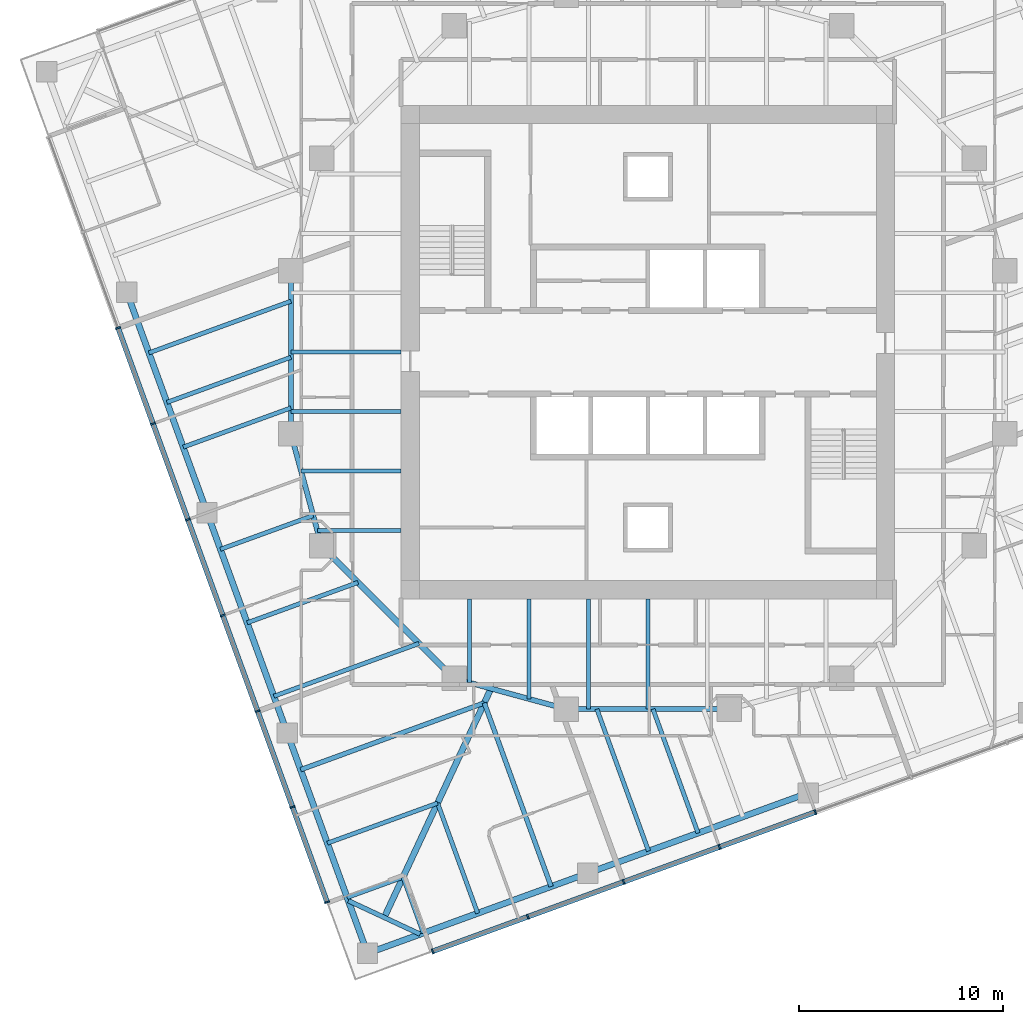
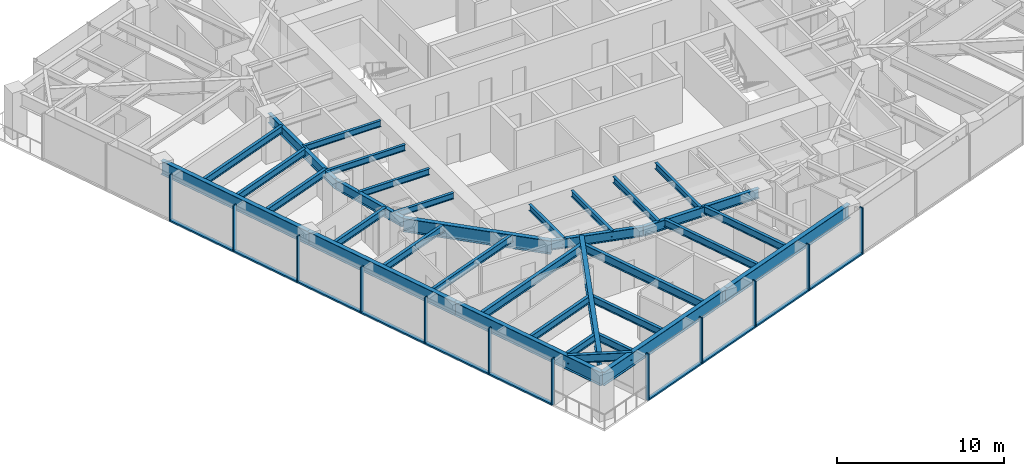
# One storey, part 2 of 13: 34 beams, 22 members, 2 elements without a shape of their own.
"""IFC4 building model written with IfcOpenShell, lengths in metres."""

from ifc_helpers import new_model, si_unit, direction, frame, origin, origin_2d, place, context, subcontext, project, spatial, rectangle, i_section, extrude, material, material_profile, profile_set, type_object, element, aggregate, save


model = new_model("IFC4")

# Units and contexts
model_context = context("Model", 3, precision=1e-05, world=origin(), true_north=direction((0.0, 1.0)))
body_context = subcontext(model_context, "Body", "Model", "MODEL_VIEW")
ifc_project = project(units=[si_unit("LENGTHUNIT", "METRE"), si_unit("AREAUNIT", "SQUARE_METRE"), si_unit("VOLUMEUNIT", "CUBIC_METRE"), si_unit("PLANEANGLEUNIT", "RADIAN"), si_unit("MASSUNIT", "GRAM", prefix="KILO")], contexts=[model_context])

# Site, building, storey
site_placement = place(None, origin())
site = spatial("IfcSite", under=ifc_project, at=site_placement, CompositionType="ELEMENT")
building_placement = place(site_placement, origin())
building = spatial("IfcBuilding", under=site, at=building_placement, Name="Torsade Residences", CompositionType="ELEMENT")
storey_placement = place(building_placement, frame((0.0, 0.0, 160.800048828125)))
storey = spatial("IfcBuildingStorey", under=building, at=storey_placement, Name="L44", CompositionType="ELEMENT", Elevation=160.800048828125)

# Beams
ifc_material_1 = material(Name="Steel grade 300", Category="steel")
ifc_material_profile_1 = material_profile(ifc_material_1, i_section(OverallWidth=0.300048828125, OverallDepth=0.89990234375, WebThickness=0.011962890625, FlangeThickness=0.02490234375, at=origin_2d()), Name="900WB175")
ifc_profile_set_1 = profile_set([ifc_material_profile_1], Name="Steel grade 300")
beam_type_1 = type_object("IfcBeamType", Name="CORNER GIRDER 900WB175", PredefinedType="BEAM", material=ifc_profile_set_1)
beam_1_placement = place(storey_placement, frame((27.075439453125, 2.282958984375, 2.800048828125), z_axis=(0.422616712682, 0.906308509373, 0.0), x_axis=(-0.906308509373, 0.422616712682, 0.0)))
element("IfcBeam", 1, at=beam_1_placement, inside=storey, type_object=beam_type_1, Name="Corner girder 01 L45", PredefinedType="BEAM", context=body_context, shape_type="SweptSolid", body=[
    extrude(i_section(OverallWidth=0.300048828125, OverallDepth=0.89990234375, WebThickness=0.011962890625, FlangeThickness=0.02490234375, at=origin_2d()), origin(), (0.0, 0.0, 1.0), 12.3837890625),
])
ifc_material_2 = material(Name="Steel grade 300", Category="steel")
ifc_material_profile_2 = material_profile(ifc_material_2, i_section(OverallWidth=0.22802734375, OverallDepth=0.60205078125, WebThickness=0.010498046875, FlangeThickness=0.014892578125, FilletRadius=0.013916015625, at=origin_2d()), Name="610UB101")
ifc_profile_set_2 = profile_set([ifc_material_profile_2], Name="Steel grade 300")
beam_type_2 = type_object("IfcBeamType", Name="CORNER TRIMMER 610UB101", PredefinedType="BEAM", material=ifc_profile_set_2)
beam_2_placement = place(storey_placement, frame((28.837646484375, 1.461181640625, 2.948974609375), z_axis=(-0.906309798645, 0.422613947806, 0.0), x_axis=(-0.422613947806, -0.906309798645, 0.0)))
element("IfcBeam", 2, at=beam_2_placement, inside=storey, type_object=beam_type_2, Name="Corner trimmer 01 L45", PredefinedType="BEAM", context=body_context, shape_type="SweptSolid", body=[
    extrude(i_section(OverallWidth=0.22802734375, OverallDepth=0.60205078125, WebThickness=0.010498046875, FlangeThickness=0.014892578125, FilletRadius=0.013916015625, at=origin_2d()), origin(), (0.0, 0.0, 1.0), 3.888916015625),
])
ifc_material_3 = material(Name="Steel grade 300", Category="steel")
ifc_material_profile_3 = material_profile(ifc_material_3, i_section(OverallWidth=0.300048828125, OverallDepth=1.0, WebThickness=0.01611328125, FlangeThickness=0.028076171875, at=origin_2d()), Name="1000WB215")
ifc_profile_set_3 = profile_set([ifc_material_profile_3], Name="Steel grade 300")
beam_type_3 = type_object("IfcBeamType", Name="EDGE BEAM 1000WB215", PredefinedType="SPANDREL", material=ifc_profile_set_3)
beam_3_placement = place(storey_placement, frame((26.25341796875, 0.5205078125, 2.75), z_axis=(0.93969110915, 0.342024296483, 0.0), x_axis=(-0.342024296483, 0.93969110915, 0.0)))
element("IfcBeam", 3, at=beam_3_placement, inside=storey, type_object=beam_type_3, Name="Edge beam 01 L45", PredefinedType="SPANDREL", context=body_context, shape_type="SweptSolid", body=[
    extrude(i_section(OverallWidth=0.300048828125, OverallDepth=1.0, WebThickness=0.01611328125, FlangeThickness=0.028076171875, at=origin_2d()), origin(), (0.0, 0.0, 1.0), 11.500244140625),
])
for number, where, z_axis, x_axis, name in (
    (4, (37.06005859375, 4.453857421875, 2.75), (0.939695448801, 0.342012373318, 0.0), (-0.342012373318, 0.939695448801, 0.0), "Edge beam 02 L45"),
    (5, (14.453857421875, 32.93994140625, 2.75), (0.342012373318, -0.939695448801, 0.0), (0.939695448801, 0.342012373318, 0.0), "Edge beam 14 L45"),
    (6, (18.386962890625, 22.133544921875, 2.75), (0.342031119628, -0.939688625666, 0.0), (0.939688625666, 0.342031119628, 0.0), "Edge beam 15 L45"),
    (7, (22.3203125, 11.3271484375, 2.75), (0.342005550448, -0.939697932031, 0.0), (0.939697932031, 0.342005550448, 0.0), "Edge beam 16 L45"),
):
    element("IfcBeam", number, at=place(storey_placement, frame(where, z_axis=z_axis, x_axis=x_axis)), inside=storey, type_object=beam_type_3, Name=name, PredefinedType="SPANDREL", context=body_context, shape_type="SweptSolid", body=[
        extrude(i_section(OverallWidth=0.300048828125, OverallDepth=1.0, WebThickness=0.01611328125, FlangeThickness=0.028076171875, at=origin_2d()), origin(), (0.0, 0.0, 1.0), 11.5),
    ])
ifc_material_4 = material(Name="Steel grade 300", Category="steel")
ifc_material_profile_4 = material_profile(ifc_material_4, i_section(OverallWidth=0.18994140625, OverallDepth=0.4541015625, WebThickness=0.008544921875, FlangeThickness=0.0126953125, FilletRadius=0.011474609375, at=origin_2d()), Name="460UB67.1")
ifc_profile_set_4 = profile_set([ifc_material_profile_4], Name="Steel grade 300")
beam_type_4 = type_object("IfcBeamType", Name="INNER FLOOR BEAM 460UB67.1", PredefinedType="JOIST", material=ifc_profile_set_4)
for number, where, z_axis, x_axis, name in (
    (8, (40.0, 17.89990234375, 3.02294921875), (0.0, -1.0, 0.0), (1.0, 0.0, 0.0), "Inner floor beam IS04 L45"),
    (9, (37.08740234375, 17.89990234375, 3.02294921875), (0.0, -1.0, 0.0), (1.0, 0.0, 0.0), "Inner floor beam IS05 L45"),
):
    element("IfcBeam", number, at=place(storey_placement, frame(where, z_axis=z_axis, x_axis=x_axis)), inside=storey, type_object=beam_type_4, Name=name, PredefinedType="JOIST", context=body_context, shape_type="SweptSolid", body=[
        extrude(i_section(OverallWidth=0.18994140625, OverallDepth=0.4541015625, WebThickness=0.008544921875, FlangeThickness=0.0126953125, FilletRadius=0.011474609375, at=origin_2d()), origin(), (0.0, 0.0, 1.0), 5.39990234375),
    ])
beam_4_placement = place(storey_placement, frame((34.175048828125, 17.89990234375, 3.02294921875), z_axis=(0.0, -1.0, 0.0), x_axis=(1.0, 0.0, 0.0)))
element("IfcBeam", 10, at=beam_4_placement, inside=storey, type_object=beam_type_4, Name="Inner floor beam IS06 L45", PredefinedType="JOIST", context=body_context, shape_type="SweptSolid", body=[
    extrude(i_section(OverallWidth=0.18994140625, OverallDepth=0.4541015625, WebThickness=0.008544921875, FlangeThickness=0.0126953125, FilletRadius=0.011474609375, at=origin_2d()), origin(), (0.0, 0.0, 1.0), 4.902099609375),
])
beam_5_placement = place(storey_placement, frame((31.262451171875, 17.89990234375, 3.02294921875), z_axis=(0.0, -1.0, 0.0), x_axis=(1.0, 0.0, 0.0)))
element("IfcBeam", 11, at=beam_5_placement, inside=storey, type_object=beam_type_4, Name="Inner floor beam IS07 L45", PredefinedType="JOIST", context=body_context, shape_type="SweptSolid", body=[
    extrude(i_section(OverallWidth=0.18994140625, OverallDepth=0.4541015625, WebThickness=0.008544921875, FlangeThickness=0.0126953125, FilletRadius=0.011474609375, at=origin_2d()), origin(), (0.0, 0.0, 1.0), 4.10791015625),
])
for number, where, z_axis, x_axis, name in (
    (12, (27.89990234375, 30.0, 3.02294921875), (-1.0, 0.0, 0.0), (0.0, -1.0, 0.0), "Inner floor beam IW04 L45"),
    (13, (27.89990234375, 27.08740234375, 3.02294921875), (-1.0, 0.0, 0.0), (0.0, -1.0, 0.0), "Inner floor beam IW05 L45"),
):
    element("IfcBeam", number, at=place(storey_placement, frame(where, z_axis=z_axis, x_axis=x_axis)), inside=storey, type_object=beam_type_4, Name=name, PredefinedType="JOIST", context=body_context, shape_type="SweptSolid", body=[
        extrude(i_section(OverallWidth=0.18994140625, OverallDepth=0.4541015625, WebThickness=0.008544921875, FlangeThickness=0.0126953125, FilletRadius=0.011474609375, at=origin_2d()), origin(), (0.0, 0.0, 1.0), 5.39990234375),
    ])
beam_6_placement = place(storey_placement, frame((27.89990234375, 24.175048828125, 3.02294921875), z_axis=(-1.0, 0.0, 0.0), x_axis=(0.0, -1.0, 0.0)))
element("IfcBeam", 14, at=beam_6_placement, inside=storey, type_object=beam_type_4, Name="Inner floor beam IW06 L45", PredefinedType="JOIST", context=body_context, shape_type="SweptSolid", body=[
    extrude(i_section(OverallWidth=0.18994140625, OverallDepth=0.4541015625, WebThickness=0.008544921875, FlangeThickness=0.0126953125, FilletRadius=0.011474609375, at=origin_2d()), origin(), (0.0, 0.0, 1.0), 4.902099609375),
])
beam_7_placement = place(storey_placement, frame((27.89990234375, 21.262451171875, 3.02294921875), z_axis=(-1.0, 0.0, 0.0), x_axis=(0.0, -1.0, 0.0)))
element("IfcBeam", 15, at=beam_7_placement, inside=storey, type_object=beam_type_4, Name="Inner floor beam IW07 L45", PredefinedType="JOIST", context=body_context, shape_type="SweptSolid", body=[
    extrude(i_section(OverallWidth=0.18994140625, OverallDepth=0.4541015625, WebThickness=0.008544921875, FlangeThickness=0.0126953125, FilletRadius=0.011474609375, at=origin_2d()), origin(), (0.0, 0.0, 1.0), 4.10791015625),
])

# Curtain wall, members
ifc_material_5 = material(Name="Aluminium and glass", Category="aluminium")
curtain_wall_type = type_object("IfcCurtainWallType", Name="FRITTED GLASS CURTAIN WALL MID ZONE", PredefinedType="NOTDEFINED", material=ifc_material_5)
curtain_wall_1_placement = place(storey_placement, origin())
curtain_wall_1 = element("IfcCurtainWall", 16, at=curtain_wall_1_placement, inside=storey, type_object=curtain_wall_type, Name="Curtain wall L44 face 1", PredefinedType="NOTDEFINED")
ifc_material_6 = material(Name="Aluminium mullion", Category="aluminium")
ifc_material_profile_5 = material_profile(ifc_material_6, rectangle(XDim=0.25, YDim=0.080078125, at=origin_2d()), Name="MID ZONE CURTAIN WALL MULLION 250x80")
ifc_profile_set_5 = profile_set([ifc_material_profile_5], Name="Aluminium mullion")
member_type_1 = type_object("IfcMemberType", Name="MID ZONE CURTAIN WALL MULLION 250x80", PredefinedType="MULLION", material=ifc_profile_set_5)
member_1_placement = place(storey_placement, frame((29.4521484375, 0.62060546875, 0.0), z_axis=(0.0, 0.0, 1.0), x_axis=(-0.342020147869, 0.939692619132, 0.0)))
member_1 = element("IfcMember", 17, at=member_1_placement, type_object=member_type_1, Name="Mullion 1", PredefinedType="MULLION", context=body_context, shape_type="SweptSolid", body=[
    extrude(rectangle(XDim=0.25, YDim=0.080078125, at=origin_2d()), origin(), (0.0, 0.0, 1.0), 3.39990234375),
])
member_2_placement = place(storey_placement, frame((34.113037109375, 2.317138671875, 0.0), z_axis=(0.0, 0.0, 1.0), x_axis=(-0.342020147869, 0.939692619132, 0.0)))
member_2 = element("IfcMember", 18, at=member_2_placement, type_object=member_type_1, Name="Mullion 2", PredefinedType="MULLION", context=body_context, shape_type="SweptSolid", body=[
    extrude(rectangle(XDim=0.25, YDim=0.080078125, at=origin_2d()), origin(), (0.0, 0.0, 1.0), 3.39990234375),
])
member_3_placement = place(storey_placement, frame((38.8115234375, 4.027099609375, 0.0), z_axis=(0.0, 0.0, 1.0), x_axis=(-0.342020147869, 0.939692619132, 0.0)))
member_3 = element("IfcMember", 19, at=member_3_placement, type_object=member_type_1, Name="Mullion 3", PredefinedType="MULLION", context=body_context, shape_type="SweptSolid", body=[
    extrude(rectangle(XDim=0.25, YDim=0.080078125, at=origin_2d()), origin(), (0.0, 0.0, 1.0), 3.39990234375),
])
member_4_placement = place(storey_placement, frame((43.510009765625, 5.7373046875, 0.0), z_axis=(0.0, 0.0, 1.0), x_axis=(-0.342020147869, 0.939692619132, 0.0)))
member_4 = element("IfcMember", 20, at=member_4_placement, type_object=member_type_1, Name="Mullion 4", PredefinedType="MULLION", context=body_context, shape_type="SweptSolid", body=[
    extrude(rectangle(XDim=0.25, YDim=0.080078125, at=origin_2d()), origin(), (0.0, 0.0, 1.0), 3.39990234375),
])
member_5_placement = place(storey_placement, frame((48.20849609375, 7.447265625, 0.0), z_axis=(0.0, 0.0, 1.0), x_axis=(-0.342020147869, 0.939692619132, 0.0)))
member_5 = element("IfcMember", 21, at=member_5_placement, type_object=member_type_1, Name="Mullion 5", PredefinedType="MULLION", context=body_context, shape_type="SweptSolid", body=[
    extrude(rectangle(XDim=0.25, YDim=0.080078125, at=origin_2d()), origin(), (0.0, 0.0, 1.0), 3.39990234375),
])

curtain_wall_2_placement = place(storey_placement, origin())
curtain_wall_2 = element("IfcCurtainWall", 22, at=curtain_wall_2_placement, inside=storey, type_object=curtain_wall_type, Name="Curtain wall L44 face 10", PredefinedType="NOTDEFINED")
member_6_placement = place(storey_placement, frame((14.027099609375, 31.1884765625, 0.0), z_axis=(0.0, 0.0, 1.0), x_axis=(0.939692619132, 0.342020147869, 0.0)))
member_6 = element("IfcMember", 23, at=member_6_placement, type_object=member_type_1, Name="Mullion 3", PredefinedType="MULLION", context=body_context, shape_type="SweptSolid", body=[
    extrude(rectangle(XDim=0.25, YDim=0.080078125, at=origin_2d()), origin(), (0.0, 0.0, 1.0), 3.39990234375),
])
member_7_placement = place(storey_placement, frame((15.7373046875, 26.489990234375, 0.0), z_axis=(0.0, 0.0, 1.0), x_axis=(0.939692619132, 0.342020147869, 0.0)))
member_7 = element("IfcMember", 24, at=member_7_placement, type_object=member_type_1, Name="Mullion 4", PredefinedType="MULLION", context=body_context, shape_type="SweptSolid", body=[
    extrude(rectangle(XDim=0.25, YDim=0.080078125, at=origin_2d()), origin(), (0.0, 0.0, 1.0), 3.39990234375),
])
member_8_placement = place(storey_placement, frame((17.447265625, 21.79150390625, 0.0), z_axis=(0.0, 0.0, 1.0), x_axis=(0.939692619132, 0.342020147869, 0.0)))
member_8 = element("IfcMember", 25, at=member_8_placement, type_object=member_type_1, Name="Mullion 5", PredefinedType="MULLION", context=body_context, shape_type="SweptSolid", body=[
    extrude(rectangle(XDim=0.25, YDim=0.080078125, at=origin_2d()), origin(), (0.0, 0.0, 1.0), 3.39990234375),
])
member_9_placement = place(storey_placement, frame((19.157470703125, 17.093017578125, 0.0), z_axis=(0.0, 0.0, 1.0), x_axis=(0.939692619132, 0.342020147869, 0.0)))
member_9 = element("IfcMember", 26, at=member_9_placement, type_object=member_type_1, Name="Mullion 6", PredefinedType="MULLION", context=body_context, shape_type="SweptSolid", body=[
    extrude(rectangle(XDim=0.25, YDim=0.080078125, at=origin_2d()), origin(), (0.0, 0.0, 1.0), 3.39990234375),
])
member_10_placement = place(storey_placement, frame((20.86767578125, 12.39453125, 0.0), z_axis=(0.0, 0.0, 1.0), x_axis=(0.939692619132, 0.342020147869, 0.0)))
member_10 = element("IfcMember", 27, at=member_10_placement, type_object=member_type_1, Name="Mullion 7", PredefinedType="MULLION", context=body_context, shape_type="SweptSolid", body=[
    extrude(rectangle(XDim=0.25, YDim=0.080078125, at=origin_2d()), origin(), (0.0, 0.0, 1.0), 3.39990234375),
])
member_11_placement = place(storey_placement, frame((22.57763671875, 7.696044921875, 0.0), z_axis=(0.0, 0.0, 1.0), x_axis=(0.939692619132, 0.342020147869, 0.0)))
member_11 = element("IfcMember", 28, at=member_11_placement, type_object=member_type_1, Name="Mullion 8", PredefinedType="MULLION", context=body_context, shape_type="SweptSolid", body=[
    extrude(rectangle(XDim=0.25, YDim=0.080078125, at=origin_2d()), origin(), (0.0, 0.0, 1.0), 3.39990234375),
])
member_12_placement = place(storey_placement, frame((24.274169921875, 3.03515625, 0.0), z_axis=(0.0, 0.0, 1.0), x_axis=(0.939692619132, 0.342020147869, 0.0)))
member_12 = element("IfcMember", 29, at=member_12_placement, type_object=member_type_1, Name="Mullion 9", PredefinedType="MULLION", context=body_context, shape_type="SweptSolid", body=[
    extrude(rectangle(XDim=0.25, YDim=0.080078125, at=origin_2d()), origin(), (0.0, 0.0, 1.0), 3.39990234375),
])

# Member
ifc_material_7 = material(Name="Aluminium transom", Category="aluminium")
ifc_material_profile_6 = material_profile(ifc_material_7, rectangle(XDim=0.25, YDim=0.110107421875, at=origin_2d()), Name="MID ZONE CURTAIN WALL TRANSOM 250x110")
ifc_profile_set_6 = profile_set([ifc_material_profile_6], Name="Aluminium transom")
member_type_2 = type_object("IfcMemberType", Name="MID ZONE CURTAIN WALL TRANSOM 250x110", PredefinedType="USERDEFINED", material=ifc_profile_set_6)
member_13_placement = place(storey_placement, frame((29.48974609375, 0.63427734375, 0.054931640625), z_axis=(0.939683823915, 0.342044311564, 0.0), x_axis=(-0.342044311564, 0.939683823915, 0.0)))
member_13 = element("IfcMember", 30, at=member_13_placement, type_object=member_type_2, Name="Transom 1.1", ObjectType="TRANSOM", PredefinedType="USERDEFINED", context=body_context, shape_type="SweptSolid", body=[
    extrude(rectangle(XDim=0.25, YDim=0.110107421875, at=origin_2d()), origin(), (0.0, 0.0, 1.0), 4.880126953125),
])

member_14_placement = place(storey_placement, frame((34.150634765625, 2.330810546875, 0.054931640625), z_axis=(0.9397006637, 0.341998044792, 0.0), x_axis=(-0.341998044792, 0.9397006637, 0.0)))
member_14 = element("IfcMember", 31, at=member_14_placement, type_object=member_type_2, Name="Transom 2.1", ObjectType="TRANSOM", PredefinedType="USERDEFINED", context=body_context, shape_type="SweptSolid", body=[
    extrude(rectangle(XDim=0.25, YDim=0.110107421875, at=origin_2d()), origin(), (0.0, 0.0, 1.0), 4.919921875),
])

member_15_placement = place(storey_placement, frame((38.84912109375, 4.040771484375, 0.054931640625), z_axis=(0.93968471549, 0.342041862168, 0.0), x_axis=(-0.342041862168, 0.93968471549, 0.0)))
member_15 = element("IfcMember", 32, at=member_15_placement, type_object=member_type_2, Name="Transom 3.1", ObjectType="TRANSOM", PredefinedType="USERDEFINED", context=body_context, shape_type="SweptSolid", body=[
    extrude(rectangle(XDim=0.25, YDim=0.110107421875, at=origin_2d()), origin(), (0.0, 0.0, 1.0), 4.920166015625),
])

member_16_placement = place(storey_placement, frame((43.547607421875, 5.7509765625, 0.054931640625), z_axis=(0.9397006637, 0.341998044792, 0.0), x_axis=(-0.341998044792, 0.9397006637, 0.0)))
member_16 = element("IfcMember", 33, at=member_16_placement, type_object=member_type_2, Name="Transom 4.1", ObjectType="TRANSOM", PredefinedType="USERDEFINED", context=body_context, shape_type="SweptSolid", body=[
    extrude(rectangle(XDim=0.25, YDim=0.110107421875, at=origin_2d()), origin(), (0.0, 0.0, 1.0), 4.919921875),
])

aggregate(curtain_wall_1, [member_1, member_2, member_3, member_4, member_5, member_13, member_14, member_15, member_16])

member_17_placement = place(storey_placement, frame((14.040771484375, 31.15087890625, 0.054931640625), z_axis=(0.342041862168, -0.93968471549, 0.0), x_axis=(0.93968471549, 0.342041862168, 0.0)))
member_17 = element("IfcMember", 34, at=member_17_placement, type_object=member_type_2, Name="Transom 3.1", ObjectType="TRANSOM", PredefinedType="USERDEFINED", context=body_context, shape_type="SweptSolid", body=[
    extrude(rectangle(XDim=0.25, YDim=0.110107421875, at=origin_2d()), origin(), (0.0, 0.0, 1.0), 4.920166015625),
])

member_18_placement = place(storey_placement, frame((15.7509765625, 26.452392578125, 0.054931640625), z_axis=(0.341998044792, -0.9397006637, 0.0), x_axis=(0.9397006637, 0.341998044792, 0.0)))
member_18 = element("IfcMember", 35, at=member_18_placement, type_object=member_type_2, Name="Transom 4.1", ObjectType="TRANSOM", PredefinedType="USERDEFINED", context=body_context, shape_type="SweptSolid", body=[
    extrude(rectangle(XDim=0.25, YDim=0.110107421875, at=origin_2d()), origin(), (0.0, 0.0, 1.0), 4.919921875),
])

member_19_placement = place(storey_placement, frame((17.4609375, 21.75390625, 0.054931640625), z_axis=(0.342041862168, -0.93968471549, 0.0), x_axis=(0.93968471549, 0.342041862168, 0.0)))
member_19 = element("IfcMember", 36, at=member_19_placement, type_object=member_type_2, Name="Transom 5.1", ObjectType="TRANSOM", PredefinedType="USERDEFINED", context=body_context, shape_type="SweptSolid", body=[
    extrude(rectangle(XDim=0.25, YDim=0.110107421875, at=origin_2d()), origin(), (0.0, 0.0, 1.0), 4.920166015625),
])

member_20_placement = place(storey_placement, frame((19.171142578125, 17.055419921875, 0.054931640625), z_axis=(0.342041862168, -0.93968471549, 0.0), x_axis=(0.93968471549, 0.342041862168, 0.0)))
member_20 = element("IfcMember", 37, at=member_20_placement, type_object=member_type_2, Name="Transom 6.1", ObjectType="TRANSOM", PredefinedType="USERDEFINED", context=body_context, shape_type="SweptSolid", body=[
    extrude(rectangle(XDim=0.25, YDim=0.110107421875, at=origin_2d()), origin(), (0.0, 0.0, 1.0), 4.920166015625),
])

member_21_placement = place(storey_placement, frame((20.88134765625, 12.35693359375, 0.054931640625), z_axis=(0.341998044792, -0.9397006637, 0.0), x_axis=(0.9397006637, 0.341998044792, 0.0)))
member_21 = element("IfcMember", 38, at=member_21_placement, type_object=member_type_2, Name="Transom 7.1", ObjectType="TRANSOM", PredefinedType="USERDEFINED", context=body_context, shape_type="SweptSolid", body=[
    extrude(rectangle(XDim=0.25, YDim=0.110107421875, at=origin_2d()), origin(), (0.0, 0.0, 1.0), 4.919921875),
])

member_22_placement = place(storey_placement, frame((22.59130859375, 7.658447265625, 0.054931640625), z_axis=(0.342044311564, -0.939683823915, 0.0), x_axis=(0.939683823915, 0.342044311564, 0.0)))
member_22 = element("IfcMember", 39, at=member_22_placement, type_object=member_type_2, Name="Transom 8.1", ObjectType="TRANSOM", PredefinedType="USERDEFINED", context=body_context, shape_type="SweptSolid", body=[
    extrude(rectangle(XDim=0.25, YDim=0.110107421875, at=origin_2d()), origin(), (0.0, 0.0, 1.0), 4.880126953125),
])

aggregate(curtain_wall_2, [member_6, member_7, member_8, member_9, member_10, member_11, member_12, member_17, member_18, member_19, member_20, member_21, member_22])

# Beams
ifc_material_8 = material(Name="Steel grade 300", Category="steel")
ifc_material_profile_7 = material_profile(ifc_material_8, i_section(OverallWidth=0.300048828125, OverallDepth=1.0, WebThickness=0.01611328125, FlangeThickness=0.028076171875, at=origin_2d()), Name="1000WB215")
ifc_profile_set_7 = profile_set([ifc_material_profile_7], Name="Steel grade 300")
beam_type_5 = type_object("IfcBeamType", Name="RING CORNER GIRDER 1000WB215", PredefinedType="BEAM", material=ifc_profile_set_7)
beam_8_placement = place(storey_placement, frame((24.0, 20.5, 2.75), z_axis=(0.707106781187, -0.707106781187, 0.0), x_axis=(0.707106781187, 0.707106781187, 0.0)))
element("IfcBeam", 40, at=beam_8_placement, inside=storey, type_object=beam_type_5, Name="Ring girder IR11 L45", PredefinedType="BEAM", context=body_context, shape_type="SweptSolid", body=[
    extrude(i_section(OverallWidth=0.300048828125, OverallDepth=1.0, WebThickness=0.01611328125, FlangeThickness=0.028076171875, at=origin_2d()), origin(), (0.0, 0.0, 1.0), 9.1923828125),
])
ifc_material_9 = material(Name="Steel grade 300", Category="steel")
ifc_material_profile_8 = material_profile(ifc_material_9, i_section(OverallWidth=0.25, OverallDepth=0.699951171875, WebThickness=0.010009765625, FlangeThickness=0.02001953125, at=origin_2d()), Name="700WB130")
ifc_profile_set_8 = profile_set([ifc_material_profile_8], Name="Steel grade 300")
beam_type_6 = type_object("IfcBeamType", Name="RING GIRDER 700WB130", PredefinedType="BEAM", material=ifc_profile_set_8)
beam_9_placement = place(storey_placement, frame((22.5, 34.0, 2.89990234375), z_axis=(0.0, -1.0, 0.0), x_axis=(1.0, 0.0, 0.0)))
element("IfcBeam", 41, at=beam_9_placement, inside=storey, type_object=beam_type_6, Name="Ring girder IR09 L45", PredefinedType="BEAM", context=body_context, shape_type="SweptSolid", body=[
    extrude(i_section(OverallWidth=0.25, OverallDepth=0.699951171875, WebThickness=0.010009765625, FlangeThickness=0.02001953125, at=origin_2d()), origin(), (0.0, 0.0, 1.0), 8.0),
])
for number, where, z_axis, x_axis, name in (
    (42, (22.5, 26.0, 2.89990234375), (0.263117405792, -0.964763821238, 0.0), (0.964763821238, 0.263117405792, 0.0), "Ring girder IR10 L45"),
    (43, (30.5, 14.0, 2.89990234375), (0.964763821238, -0.263117405792, 0.0), (0.263117405792, 0.964763821238, 0.0), "Ring girder IR12 L45"),
):
    element("IfcBeam", number, at=place(storey_placement, frame(where, z_axis=z_axis, x_axis=x_axis)), inside=storey, type_object=beam_type_6, Name=name, PredefinedType="BEAM", context=body_context, shape_type="SweptSolid", body=[
        extrude(i_section(OverallWidth=0.25, OverallDepth=0.699951171875, WebThickness=0.010009765625, FlangeThickness=0.02001953125, at=origin_2d()), origin(), (0.0, 0.0, 1.0), 5.700927734375),
    ])
beam_10_placement = place(storey_placement, frame((36.0, 12.5, 2.89990234375), z_axis=(1.0, 0.0, 0.0), x_axis=(0.0, 1.0, 0.0)))
element("IfcBeam", 44, at=beam_10_placement, inside=storey, type_object=beam_type_6, Name="Ring girder IR13 L45", PredefinedType="BEAM", context=body_context, shape_type="SweptSolid", body=[
    extrude(i_section(OverallWidth=0.25, OverallDepth=0.699951171875, WebThickness=0.010009765625, FlangeThickness=0.02001953125, at=origin_2d()), origin(), (0.0, 0.0, 1.0), 8.0),
])
ifc_material_10 = material(Name="Steel grade 300", Category="steel")
ifc_material_profile_9 = material_profile(ifc_material_10, i_section(OverallWidth=0.208984375, OverallDepth=0.528076171875, WebThickness=0.009521484375, FlangeThickness=0.01318359375, FilletRadius=0.013916015625, at=origin_2d()), Name="530UB82.0")
ifc_profile_set_9 = profile_set([ifc_material_profile_9], Name="Steel grade 300")
beam_type_7 = type_object("IfcBeamType", Name="SECONDARY BEAM 530UB82.0", PredefinedType="JOIST", material=ifc_profile_set_9)
beam_11_placement = place(storey_placement, frame((28.994384765625, 1.51806640625, 2.98583984375), z_axis=(-0.341998427281, 0.939700524495, 0.0), x_axis=(-0.939700524495, -0.341998427281, 0.0)))
element("IfcBeam", 45, at=beam_11_placement, inside=storey, type_object=beam_type_7, Name="Floor beam FS01 L45", PredefinedType="JOIST", context=body_context, shape_type="SweptSolid", body=[
    extrude(i_section(OverallWidth=0.208984375, OverallDepth=0.528076171875, WebThickness=0.009521484375, FlangeThickness=0.01318359375, FilletRadius=0.013916015625, at=origin_2d()), origin(), (0.0, 0.0, 1.0), 2.916748046875),
])
beam_12_placement = place(storey_placement, frame((31.65673828125, 2.4873046875, 2.98583984375), z_axis=(-0.342019196443, 0.939692965423, 0.0), x_axis=(-0.939692965423, -0.342019196443, 0.0)))
element("IfcBeam", 46, at=beam_12_placement, inside=storey, type_object=beam_type_7, Name="Floor beam FS02 L45", PredefinedType="JOIST", context=body_context, shape_type="SweptSolid", body=[
    extrude(i_section(OverallWidth=0.208984375, OverallDepth=0.528076171875, WebThickness=0.009521484375, FlangeThickness=0.01318359375, FilletRadius=0.013916015625, at=origin_2d()), origin(), (0.0, 0.0, 1.0), 5.749755859375),
])
beam_13_placement = place(storey_placement, frame((40.03564453125, 5.536865234375, 2.98583984375), z_axis=(-0.342026105929, 0.939690450554, 0.0), x_axis=(-0.939690450554, -0.342026105929, 0.0)))
element("IfcBeam", 47, at=beam_13_placement, inside=storey, type_object=beam_type_7, Name="Floor beam FS04 L45", PredefinedType="JOIST", context=body_context, shape_type="SweptSolid", body=[
    extrude(i_section(OverallWidth=0.208984375, OverallDepth=0.528076171875, WebThickness=0.009521484375, FlangeThickness=0.01318359375, FilletRadius=0.013916015625, at=origin_2d()), origin(), (0.0, 0.0, 1.0), 7.409912109375),
])
beam_14_placement = place(storey_placement, frame((42.463134765625, 6.42041015625, 2.98583984375), z_axis=(-0.342000590983, 0.939699737026, 0.0), x_axis=(-0.939699737026, -0.342000590983, 0.0)))
element("IfcBeam", 48, at=beam_14_placement, inside=storey, type_object=beam_type_7, Name="Floor beam FS05 L45", PredefinedType="JOIST", context=body_context, shape_type="SweptSolid", body=[
    extrude(i_section(OverallWidth=0.208984375, OverallDepth=0.528076171875, WebThickness=0.009521484375, FlangeThickness=0.01318359375, FilletRadius=0.013916015625, at=origin_2d()), origin(), (0.0, 0.0, 1.0), 6.4697265625),
])
beam_15_placement = place(storey_placement, frame((15.536865234375, 29.96435546875, 2.98583984375), z_axis=(0.939690450554, 0.342026105929, 0.0), x_axis=(-0.342026105929, 0.939690450554, 0.0)))
element("IfcBeam", 49, at=beam_15_placement, inside=storey, type_object=beam_type_7, Name="Floor beam FW04 L45", PredefinedType="JOIST", context=body_context, shape_type="SweptSolid", body=[
    extrude(i_section(OverallWidth=0.208984375, OverallDepth=0.528076171875, WebThickness=0.009521484375, FlangeThickness=0.01318359375, FilletRadius=0.013916015625, at=origin_2d()), origin(), (0.0, 0.0, 1.0), 7.409912109375),
])
beam_16_placement = place(storey_placement, frame((16.42041015625, 27.536865234375, 2.98583984375), z_axis=(0.939699737026, 0.342000590983, 0.0), x_axis=(-0.342000590983, 0.939699737026, 0.0)))
element("IfcBeam", 50, at=beam_16_placement, inside=storey, type_object=beam_type_7, Name="Floor beam FW05 L45", PredefinedType="JOIST", context=body_context, shape_type="SweptSolid", body=[
    extrude(i_section(OverallWidth=0.208984375, OverallDepth=0.528076171875, WebThickness=0.009521484375, FlangeThickness=0.01318359375, FilletRadius=0.013916015625, at=origin_2d()), origin(), (0.0, 0.0, 1.0), 6.4697265625),
])
beam_17_placement = place(storey_placement, frame((17.218505859375, 25.34423828125, 2.98583984375), z_axis=(0.939703343336, 0.341990681925, 0.0), x_axis=(-0.341990681925, 0.939703343336, 0.0)))
element("IfcBeam", 51, at=beam_17_placement, inside=storey, type_object=beam_type_7, Name="Floor beam FW06 L45", PredefinedType="JOIST", context=body_context, shape_type="SweptSolid", body=[
    extrude(i_section(OverallWidth=0.208984375, OverallDepth=0.528076171875, WebThickness=0.009521484375, FlangeThickness=0.01318359375, FilletRadius=0.013916015625, at=origin_2d()), origin(), (0.0, 0.0, 1.0), 5.620361328125),
])
beam_18_placement = place(storey_placement, frame((19.042724609375, 20.33251953125, 2.98583984375), z_axis=(0.939694777187, 0.342014218604, 0.0), x_axis=(-0.342014218604, 0.939694777187, 0.0)))
element("IfcBeam", 52, at=beam_18_placement, inside=storey, type_object=beam_type_7, Name="Floor beam FW07 L45", PredefinedType="JOIST", context=body_context, shape_type="SweptSolid", body=[
    extrude(i_section(OverallWidth=0.208984375, OverallDepth=0.528076171875, WebThickness=0.009521484375, FlangeThickness=0.01318359375, FilletRadius=0.013916015625, at=origin_2d()), origin(), (0.0, 0.0, 1.0), 4.84326171875),
])
beam_19_placement = place(storey_placement, frame((20.353759765625, 16.730224609375, 2.98583984375), z_axis=(0.939687428295, 0.342034409239, 0.0), x_axis=(-0.342034409239, 0.939687428295, 0.0)))
element("IfcBeam", 53, at=beam_19_placement, inside=storey, type_object=beam_type_7, Name="Floor beam FW08 L45", PredefinedType="JOIST", context=body_context, shape_type="SweptSolid", body=[
    extrude(i_section(OverallWidth=0.208984375, OverallDepth=0.528076171875, WebThickness=0.009521484375, FlangeThickness=0.01318359375, FilletRadius=0.013916015625, at=origin_2d()), origin(), (0.0, 0.0, 1.0), 5.785888671875),
])
beam_20_placement = place(storey_placement, frame((21.664794921875, 13.128173828125, 2.98583984375), z_axis=(0.939689847531, 0.342027762686, 0.0), x_axis=(-0.342027762686, 0.939689847531, 0.0)))
element("IfcBeam", 54, at=beam_20_placement, inside=storey, type_object=beam_type_7, Name="Floor beam FW09 L45", PredefinedType="JOIST", context=body_context, shape_type="SweptSolid", body=[
    extrude(i_section(OverallWidth=0.208984375, OverallDepth=0.528076171875, WebThickness=0.009521484375, FlangeThickness=0.01318359375, FilletRadius=0.013916015625, at=origin_2d()), origin(), (0.0, 0.0, 1.0), 7.573486328125),
])
beam_21_placement = place(storey_placement, frame((24.286865234375, 5.923828125, 2.98583984375), z_axis=(0.939697932031, 0.342005550448, 0.0), x_axis=(-0.342005550448, 0.939697932031, 0.0)))
element("IfcBeam", 55, at=beam_21_placement, inside=storey, type_object=beam_type_7, Name="Floor beam FW11 L45", PredefinedType="JOIST", context=body_context, shape_type="SweptSolid", body=[
    extrude(i_section(OverallWidth=0.208984375, OverallDepth=0.528076171875, WebThickness=0.009521484375, FlangeThickness=0.01318359375, FilletRadius=0.013916015625, at=origin_2d()), origin(), (0.0, 0.0, 1.0), 5.75),
])
beam_22_placement = place(storey_placement, frame((25.255859375, 3.261474609375, 2.98583984375), z_axis=(0.939700524495, 0.341998427281, 0.0), x_axis=(-0.341998427281, 0.939700524495, 0.0)))
element("IfcBeam", 56, at=beam_22_placement, inside=storey, type_object=beam_type_7, Name="Floor beam FW12 L45", PredefinedType="JOIST", context=body_context, shape_type="SweptSolid", body=[
    extrude(i_section(OverallWidth=0.208984375, OverallDepth=0.528076171875, WebThickness=0.009521484375, FlangeThickness=0.01318359375, FilletRadius=0.013916015625, at=origin_2d()), origin(), (0.0, 0.0, 1.0), 2.916748046875),
])
ifc_material_11 = material(Name="Steel grade 300", Category="steel")
ifc_material_profile_10 = material_profile(ifc_material_11, i_section(OverallWidth=0.22900390625, OverallDepth=0.612060546875, WebThickness=0.011962890625, FlangeThickness=0.01953125, FilletRadius=0.013916015625, at=origin_2d()), Name="610UB125")
ifc_profile_set_10 = profile_set([ifc_material_profile_10], Name="Steel grade 300")
beam_type_8 = type_object("IfcBeamType", Name="SECONDARY BEAM 610UB125", PredefinedType="JOIST", material=ifc_profile_set_10)
for number, where, z_axis, x_axis, name in (
    (57, (35.259033203125, 3.79833984375, 2.94384765625), (-0.342033504181, 0.939687757725, 0.0), (-0.939687757725, -0.342033504181, 0.0), "Floor beam FS03 L45"),
    (58, (22.975830078125, 9.52587890625, 2.94384765625), (0.939687757725, 0.342033504181, 0.0), (-0.342033504181, 0.939687757725, 0.0), "Floor beam FW10 L45"),
):
    element("IfcBeam", number, at=place(storey_placement, frame(where, z_axis=z_axis, x_axis=x_axis)), inside=storey, type_object=beam_type_8, Name=name, PredefinedType="JOIST", context=body_context, shape_type="SweptSolid", body=[
        extrude(i_section(OverallWidth=0.22900390625, OverallDepth=0.612060546875, WebThickness=0.011962890625, FlangeThickness=0.01953125, FilletRadius=0.013916015625, at=origin_2d()), origin(), (0.0, 0.0, 1.0), 9.583251953125),
    ])

save(model, "model.ifc")
